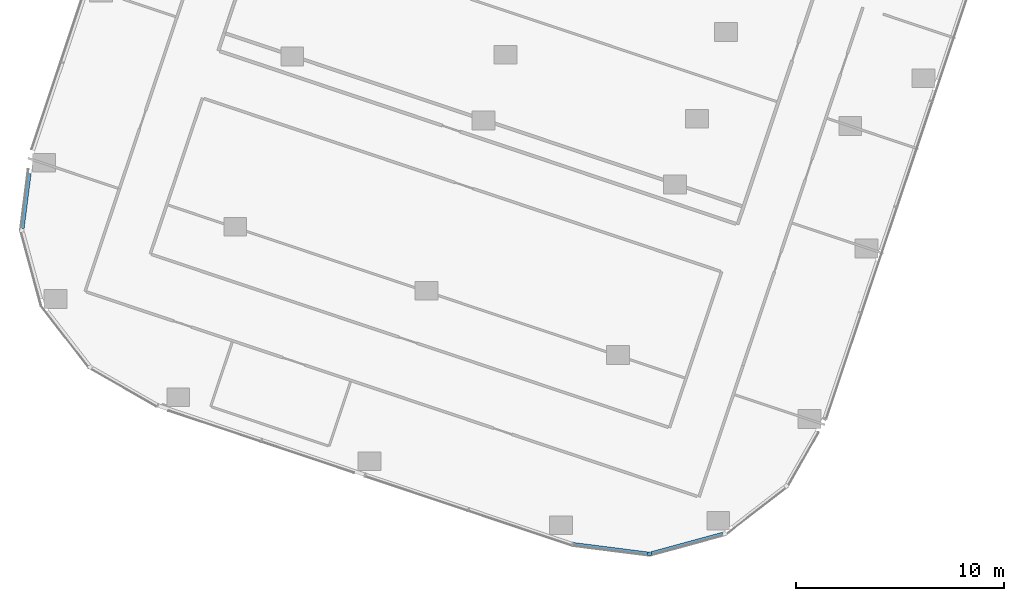
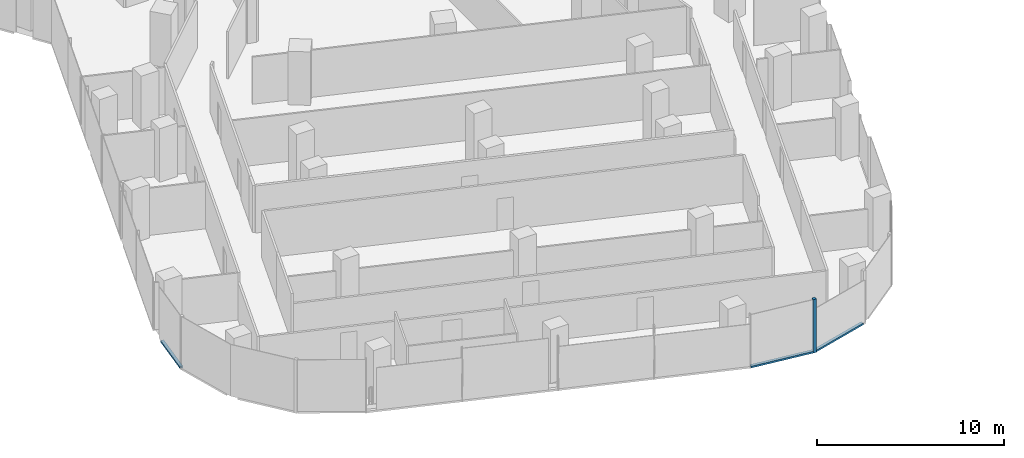
# One storey, part 3 of 25: 4 members, 3 elements without a shape of their own.
"""IFC4 building model written with IfcOpenShell, lengths in metres."""

from ifc_helpers import new_model, si_unit, direction, frame, origin, origin_2d, place, context, subcontext, project, spatial, rectangle, extrude, material, material_profile, profile_set, type_object, element, aggregate, save


model = new_model("IFC4")

# Units and contexts
model_context = context("Model", 3, precision=1e-05, world=origin(), true_north=direction((0.0, 1.0)))
body_context = subcontext(model_context, "Body", "Model", "MODEL_VIEW")
ifc_project = project(units=[si_unit("LENGTHUNIT", "METRE"), si_unit("AREAUNIT", "SQUARE_METRE"), si_unit("VOLUMEUNIT", "CUBIC_METRE"), si_unit("PLANEANGLEUNIT", "RADIAN"), si_unit("MASSUNIT", "GRAM", prefix="KILO")], contexts=[model_context])

# Site, building, storey
site_placement = place(None, origin())
site = spatial("IfcSite", under=ifc_project, at=site_placement, CompositionType="ELEMENT")
building_placement = place(site_placement, origin())
building = spatial("IfcBuilding", under=site, at=building_placement, Name="Orlundy Tower", CompositionType="ELEMENT")
storey_placement = place(building_placement, frame((0.0, 0.0, 159.60009765625)))
storey = spatial("IfcBuildingStorey", under=building, at=storey_placement, Name="L41", CompositionType="ELEMENT", Elevation=159.60009765625)

# Curtain wall, member
ifc_material_1 = material(Name="Aluminium bronze anodised", Category="aluminium")
curtain_wall_type = type_object("IfcCurtainWallType", Name="CW1 wall", PredefinedType="NOTDEFINED", material=ifc_material_1)
curtain_wall_1_placement = place(storey_placement, origin())
curtain_wall_1 = element("IfcCurtainWall", 1, at=curtain_wall_1_placement, inside=storey, type_object=curtain_wall_type, Name="CW1 run 022", PredefinedType="NOTDEFINED")
ifc_material_2 = material(Name="Aluminium bronze anodised", Category="aluminium")
ifc_material_profile_1 = material_profile(ifc_material_2, rectangle(XDim=0.179931640625, YDim=0.179931640625, at=origin_2d()), Name="CW1 corner post 180x180")
ifc_profile_set_1 = profile_set([ifc_material_profile_1], Name="Aluminium bronze anodised")
member_type_1 = type_object("IfcMemberType", Name="CW1 corner post 180x180", PredefinedType="MULLION", material=ifc_profile_set_1)
member_1_placement = place(storey_placement, frame((-5.238525390625, -60.316650390625, -0.400146484375), z_axis=(0.0, 0.0, 1.0), x_axis=(-0.126259106648, -0.99199729737, 0.0)))
member_1 = element("IfcMember", 2, at=member_1_placement, type_object=member_type_1, Name="CW1 mullion 52", PredefinedType="MULLION", context=body_context, shape_type="SweptSolid", body=[
    extrude(rectangle(XDim=0.179931640625, YDim=0.179931640625, at=origin_2d()), origin(), (0.0, 0.0, 1.0), 3.5),
])

curtain_wall_2_placement = place(storey_placement, origin())
curtain_wall_2 = element("IfcCurtainWall", 3, at=curtain_wall_2_placement, inside=storey, type_object=curtain_wall_type, Name="CW1 run 021", PredefinedType="NOTDEFINED")
ifc_material_3 = material(Name="Aluminium bronze anodised", Category="aluminium")
ifc_material_profile_2 = material_profile(ifc_material_3, rectangle(XDim=0.179931640625, YDim=0.1201171875, at=origin_2d()), Name="CW1 transom 180x120")
ifc_profile_set_2 = profile_set([ifc_material_profile_2], Name="Aluminium bronze anodised")
member_type_2 = type_object("IfcMemberType", Name="CW1 transom 180x120", PredefinedType="USERDEFINED", material=ifc_profile_set_2)
member_2_placement = place(storey_placement, frame((-1.71484375, -59.355712890625, -0.340087890625), z_axis=(-0.964768575613, -0.263099972464, 0.0), x_axis=(0.263099972464, -0.964768575613, 0.0)))
member_2 = element("IfcMember", 4, at=member_2_placement, type_object=member_type_2, Name="CW1 transom", ObjectType="TRANSOM", PredefinedType="USERDEFINED", context=body_context, shape_type="SweptSolid", body=[
    extrude(rectangle(XDim=0.179931640625, YDim=0.1201171875, at=origin_2d()), origin(), (0.0, 0.0, 1.0), 3.554931640625),
])
aggregate(curtain_wall_2, [member_2])

# Member
member_3_placement = place(storey_placement, frame((-5.327880859375, -60.30517578125, -0.340087890625), z_axis=(-0.991999294503, 0.126243414502, 0.0), x_axis=(-0.126243414502, -0.991999294503, 0.0)))
member_3 = element("IfcMember", 5, at=member_3_placement, type_object=member_type_2, Name="CW1 transom", ObjectType="TRANSOM", PredefinedType="USERDEFINED", context=body_context, shape_type="SweptSolid", body=[
    extrude(rectangle(XDim=0.179931640625, YDim=0.1201171875, at=origin_2d()), origin(), (0.0, 0.0, 1.0), 3.618408203125),
])

aggregate(curtain_wall_1, [member_1, member_3])

# Curtain wall, member
curtain_wall_3_placement = place(storey_placement, origin())
curtain_wall_3 = element("IfcCurtainWall", 6, at=curtain_wall_3_placement, inside=storey, type_object=curtain_wall_type, Name="CW1 run 027", PredefinedType="NOTDEFINED")
member_4_placement = place(storey_placement, frame((-35.379150390625, -44.6640625, -0.340087890625), z_axis=(0.125999774366, 0.992030270133, 0.0), x_axis=(-0.992030270133, 0.125999774366, 0.0)))
member_4 = element("IfcMember", 7, at=member_4_placement, type_object=member_type_2, Name="CW1 transom", ObjectType="TRANSOM", PredefinedType="USERDEFINED", context=body_context, shape_type="SweptSolid", body=[
    extrude(rectangle(XDim=0.179931640625, YDim=0.1201171875, at=origin_2d()), origin(), (0.0, 0.0, 1.0), 2.660400390625),
])
aggregate(curtain_wall_3, [member_4])

save(model, "model.ifc")
